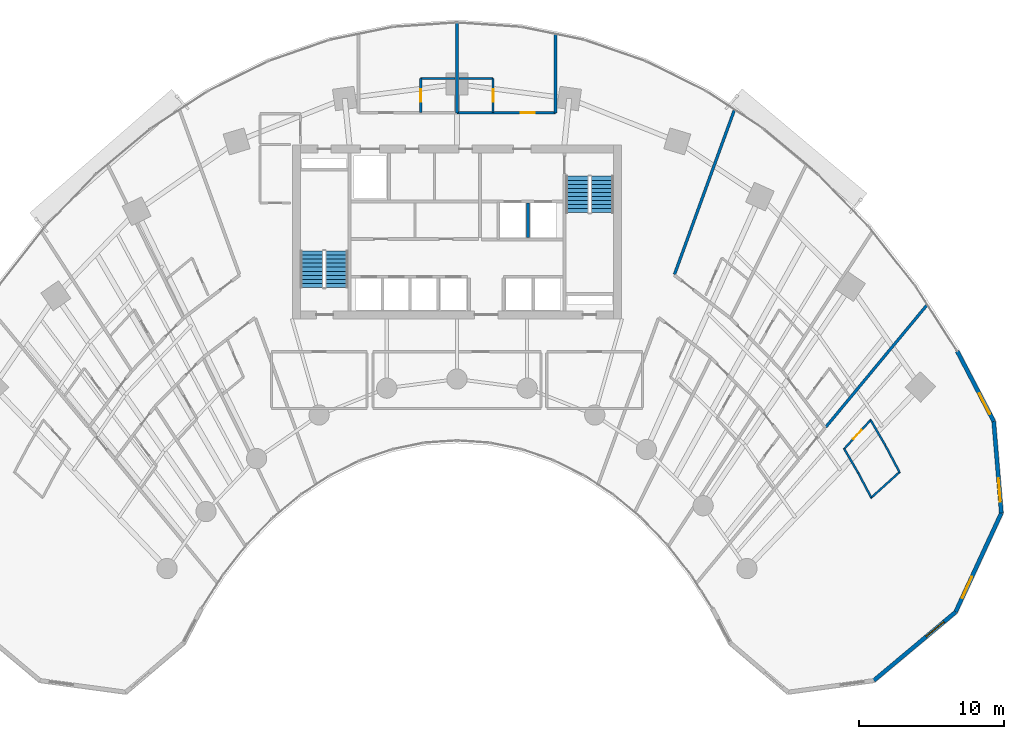
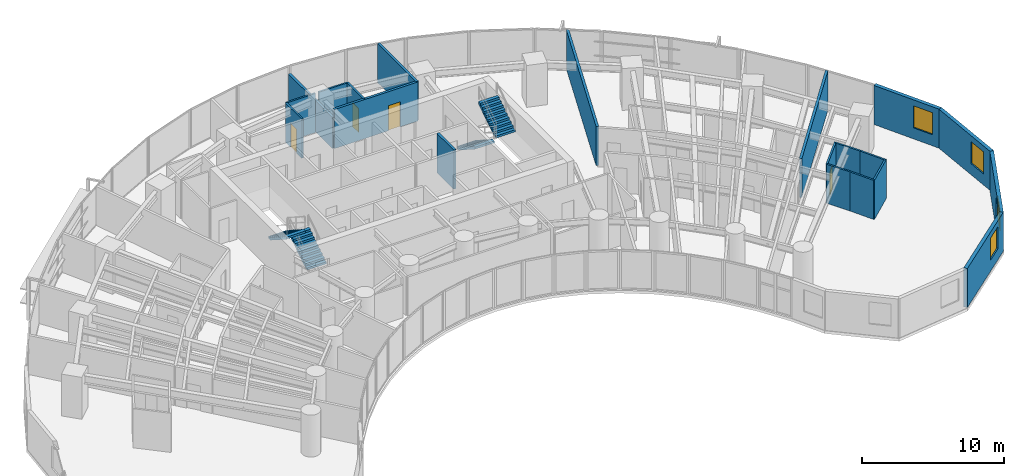
# One storey, part 15 of 18: 20 walls, 4 doors, 4 stair flights, 4 windows, 8 openings, 2 elements without a shape of their own.
"""IFC4 building model written with IfcOpenShell, lengths in metres."""

from ifc_helpers import new_model, si_unit, direction, frame, frame_2d, origin, place, context, subcontext, project, spatial, polyline, rectangle, outline, extrude, source, transform, mapped, material, layer, layer_set, type_object, type_shapes, element, fill, aggregate, save


model = new_model("IFC4")

# Units and contexts
model_context = context("Model", 3, precision=1e-05, world=origin(), true_north=direction((0.0, 1.0)))
body_context = subcontext(model_context, "Body", "Model", "MODEL_VIEW")
ifc_project = project(units=[si_unit("LENGTHUNIT", "METRE"), si_unit("AREAUNIT", "SQUARE_METRE"), si_unit("VOLUMEUNIT", "CUBIC_METRE"), si_unit("PLANEANGLEUNIT", "RADIAN"), si_unit("MASSUNIT", "GRAM", prefix="KILO")], contexts=[model_context])

# Site, building, storey
site_placement = place(None, origin())
site = spatial("IfcSite", under=ifc_project, at=site_placement, CompositionType="ELEMENT")
building_placement = place(site_placement, origin())
building = spatial("IfcBuilding", under=site, at=building_placement, Name="Breltana Convention Tower", CompositionType="ELEMENT")
storey_placement = place(building_placement, frame((0.0, 0.0, 42.60009765625)))
storey = spatial("IfcBuildingStorey", under=building, at=storey_placement, Name="L08", CompositionType="ELEMENT", Elevation=42.60009765625)

# Wall, opening, window
ifc_material_1 = material(Name="Limestone Buff Insulated Wall", Category="masonry")
ifc_layer_1 = layer(ifc_material_1, 0.280029296875, Name="Limestone Buff Insulated Wall")
ifc_layer_set_1 = layer_set([ifc_layer_1], Name="Limestone Buff Insulated Wall")
wall_type_1 = type_object("IfcWallType", Name="WL-EXT-NOSE-280", PredefinedType="SOLIDWALL", material=ifc_layer_set_1)
shared_shape_1 = source(origin(), body_context, "Body", "SweptSolid", [
    extrude(rectangle(XDim=6.3525390625, YDim=0.280029296875, at=frame_2d((3.17626953125, 0.0))), origin(), (0.0, 0.0, 1.0), 3.35986328125),
])
wall_1_placement = place(storey_placement, frame((85.052978515625, 53.1220703125, 0.0), z_axis=(0.0, 0.0, 1.0), x_axis=(0.083319001377, -0.996522926986, 0.0)))
wall_1 = element("IfcWall", 1, at=wall_1_placement, inside=storey, type_object=wall_type_1, Name="L08 curved limestone nose wall E1", PredefinedType="SOLIDWALL", context=body_context, shape_type="MappedRepresentation", body=[
    mapped(shared_shape_1, transform((0.0, 0.0, 0.0), scale=1.0)),
])
opening_1_placement = place(wall_1_placement, frame((3.96435546875, 0.0, 0.949951171875)))
opening_1 = element("IfcOpeningElement", 2, at=opening_1_placement, cuts=wall_1, Name="Opening W-04", PredefinedType="OPENING", context=body_context, shape_type="SweptSolid", body=[
    extrude(rectangle(XDim=1.60009765625, YDim=1.89990234375, at=frame_2d((0.800048828125, 0.949951171875))), frame((0.0, 0.14990234375, 0.0), z_axis=(0.0, -1.0, 0.0), x_axis=(1.0, 0.0, 0.0)), (0.0, 0.0, 1.0), 0.300048828125),
])
ifc_material_2 = material(Name="Glass Low-E Insulated Window", Category="glass")
window_type = type_object("IfcWindowType", Name="WN-NOSE-1600X1900", PartitioningType="SINGLE_PANEL", PredefinedType="WINDOW", material=ifc_material_2)
shared_shape_2 = source(origin(), body_context, "Body", "SweptSolid", [
    extrude(rectangle(XDim=1.60009765625, YDim=1.89990234375, at=frame_2d((0.800048828125, 0.949951171875))), frame((0.0, 0.030029296875, 0.0), z_axis=(0.0, -1.0, 0.0), x_axis=(1.0, 0.0, 0.0)), (0.0, 0.0, 1.0), 0.06005859375),
])
type_shapes(window_type, [shared_shape_2])
window_1_placement = place(opening_1_placement, origin())
window_1 = element("IfcWindow", 3, at=window_1_placement, inside=storey, type_object=window_type, Name="L08 nose window E1", OverallHeight=1.89990234375, OverallWidth=1.60009765625, PartitioningType="SINGLE_PANEL", PredefinedType="WINDOW", context=body_context, shape_type="MappedRepresentation", body=[
    mapped(shared_shape_2, transform((0.0, 0.0, 0.0), scale=1.0)),
])
fill(opening_1, window_1)

shared_shape_3 = source(origin(), body_context, "Body", "SweptSolid", [
    extrude(rectangle(XDim=7.536376953125, YDim=0.280029296875, at=frame_2d((3.76806640625, 0.0))), origin(), (0.0, 0.0, 1.0), 3.35986328125),
])
wall_2_placement = place(storey_placement, frame((85.582275390625, 46.79150390625, 0.0), z_axis=(0.0, 0.0, 1.0), x_axis=(-0.41964973873, -0.907686122393, 0.0)))
wall_2 = element("IfcWall", 4, at=wall_2_placement, inside=storey, type_object=wall_type_1, Name="L08 curved limestone nose wall E2", PredefinedType="SOLIDWALL", context=body_context, shape_type="MappedRepresentation", body=[
    mapped(shared_shape_3, transform((0.0, 0.0, 0.0), scale=1.0)),
])
opening_2_placement = place(wall_2_placement, frame((4.852294921875, 0.0, 0.949951171875)))
opening_2 = element("IfcOpeningElement", 5, at=opening_2_placement, cuts=wall_2, Name="Opening W-04", PredefinedType="OPENING", context=body_context, shape_type="SweptSolid", body=[
    extrude(rectangle(XDim=1.60009765625, YDim=1.89990234375, at=frame_2d((0.800048828125, 0.949951171875))), frame((0.0, 0.14990234375, 0.0), z_axis=(0.0, -1.0, 0.0), x_axis=(1.0, 0.0, 0.0)), (0.0, 0.0, 1.0), 0.300048828125),
])
window_2_placement = place(opening_2_placement, origin())
window_2 = element("IfcWindow", 6, at=window_2_placement, inside=storey, type_object=window_type, Name="L08 nose window E2", OverallHeight=1.89990234375, OverallWidth=1.60009765625, PartitioningType="SINGLE_PANEL", PredefinedType="WINDOW", context=body_context, shape_type="MappedRepresentation", body=[
    mapped(shared_shape_2, transform((0.0, 0.0, 0.0), scale=1.0)),
])
fill(opening_2, window_2)

shared_shape_4 = source(origin(), body_context, "Body", "SweptSolid", [
    extrude(rectangle(XDim=7.35888671875, YDim=0.280029296875, at=frame_2d((3.679443359375, 0.0))), origin(), (0.0, 0.0, 1.0), 3.35986328125),
])
wall_3_placement = place(storey_placement, frame((82.419677734375, 39.950927734375, 0.0), z_axis=(0.0, 0.0, 1.0), x_axis=(-0.766737165543, -0.641961150675, 0.0)))
wall_3 = element("IfcWall", 7, at=wall_3_placement, inside=storey, type_object=wall_type_1, Name="L08 curved limestone nose wall E3", PredefinedType="SOLIDWALL", context=body_context, shape_type="MappedRepresentation", body=[
    mapped(shared_shape_4, transform((0.0, 0.0, 0.0), scale=1.0)),
])
opening_3_placement = place(wall_3_placement, frame((1.039794921875, 0.0, 0.949951171875)))
opening_3 = element("IfcOpeningElement", 8, at=opening_3_placement, cuts=wall_3, Name="Opening W-04", PredefinedType="OPENING", context=body_context, shape_type="SweptSolid", body=[
    extrude(rectangle(XDim=1.60009765625, YDim=1.89990234375, at=frame_2d((0.800048828125, 0.949951171875))), frame((0.0, 0.14990234375, 0.0), z_axis=(0.0, -1.0, 0.0), x_axis=(1.0, 0.0, 0.0)), (0.0, 0.0, 1.0), 0.300048828125),
])
window_3_placement = place(opening_3_placement, origin())
window_3 = element("IfcWindow", 9, at=window_3_placement, inside=storey, type_object=window_type, Name="L08 nose window E3", OverallHeight=1.89990234375, OverallWidth=1.60009765625, PartitioningType="SINGLE_PANEL", PredefinedType="WINDOW", context=body_context, shape_type="MappedRepresentation", body=[
    mapped(shared_shape_2, transform((0.0, 0.0, 0.0), scale=1.0)),
])
fill(opening_3, window_3)

shared_shape_5 = source(origin(), body_context, "Body", "SweptSolid", [
    extrude(rectangle(XDim=5.45947265625, YDim=0.280029296875, at=frame_2d((2.729736328125, 0.0))), origin(), (0.0, 0.0, 1.0), 3.35986328125),
])
wall_4_placement = place(storey_placement, frame((82.531982421875, 57.964599609375, 0.0), z_axis=(0.0, 0.0, 1.0), x_axis=(0.461768054321, -0.887000712518, 0.0)))
wall_4 = element("IfcWall", 10, at=wall_4_placement, inside=storey, type_object=wall_type_1, Name="L08 curved limestone nose wall E7", PredefinedType="SOLIDWALL", context=body_context, shape_type="MappedRepresentation", body=[
    mapped(shared_shape_5, transform((0.0, 0.0, 0.0), scale=1.0)),
])
opening_4_placement = place(wall_4_placement, frame((3.294677734375, 0.0, 0.949951171875)))
opening_4 = element("IfcOpeningElement", 11, at=opening_4_placement, cuts=wall_4, Name="Opening W-04", PredefinedType="OPENING", context=body_context, shape_type="SweptSolid", body=[
    extrude(rectangle(XDim=1.60009765625, YDim=1.89990234375, at=frame_2d((0.800048828125, 0.949951171875))), frame((0.0, 0.14990234375, 0.0), z_axis=(0.0, -1.0, 0.0), x_axis=(1.0, 0.0, 0.0)), (0.0, 0.0, 1.0), 0.300048828125),
])
window_4_placement = place(opening_4_placement, origin())
window_4 = element("IfcWindow", 12, at=window_4_placement, inside=storey, type_object=window_type, Name="L08 nose window E7", OverallHeight=1.89990234375, OverallWidth=1.60009765625, PartitioningType="SINGLE_PANEL", PredefinedType="WINDOW", context=body_context, shape_type="MappedRepresentation", body=[
    mapped(shared_shape_2, transform((0.0, 0.0, 0.0), scale=1.0)),
])
fill(opening_4, window_4)

# Wall
ifc_material_3 = material(Name="Autoclaved Aerated Concrete Block", Category="concrete")
ifc_layer_2 = layer(ifc_material_3, 0.199951171875, Name="Autoclaved Aerated Concrete Block")
ifc_layer_set_2 = layer_set([ifc_layer_2], Name="Autoclaved Aerated Concrete Block")
wall_type_2 = type_object("IfcWallType", Name="WL-SHAFT-200", PredefinedType="SOLIDWALL", material=ifc_layer_set_2)
shared_shape_6 = source(origin(), body_context, "Body", "SweptSolid", [
    extrude(rectangle(XDim=2.39990234375, YDim=0.199951171875, at=frame_2d((1.199951171875, 0.0))), origin(), (0.0, 0.0, 1.0), 3.35986328125),
])
wall_5_placement = place(storey_placement, frame((52.89990234375, 65.800048828125, 0.0), z_axis=(0.0, 0.0, 1.0), x_axis=(0.0, 1.0, 0.0)))
element("IfcWall", 13, at=wall_5_placement, inside=storey, type_object=wall_type_2, Name="L08 interior partition W-L08-FL-DIV", PredefinedType="SOLIDWALL", context=body_context, shape_type="MappedRepresentation", body=[
    mapped(shared_shape_6, transform((0.0, 0.0, 0.0), scale=1.0)),
])

# Wall, opening, door
ifc_material_4 = material(Name="Gypsum Acoustic Hotel Wall")
ifc_layer_3 = layer(ifc_material_4, 0.195068359375, Name="Gypsum Acoustic Hotel Wall")
ifc_layer_set_3 = layer_set([ifc_layer_3], Name="Gypsum Acoustic Hotel Wall")
wall_type_3 = type_object("IfcWallType", Name="WL-HOTEL-200", PredefinedType="PARTITIONING", material=ifc_layer_set_3)
shared_shape_7 = source(origin(), body_context, "Body", "SweptSolid", [
    extrude(rectangle(XDim=6.800048828125, YDim=0.195068359375, at=frame_2d((3.39990234375, 0.0))), origin(), (0.0, 0.0, 1.0), 3.35986328125),
])
wall_6_placement = place(storey_placement, frame((48.0, 74.419921875, 0.0), z_axis=(0.0, 0.0, 1.0), x_axis=(1.0, 0.0, 0.0)))
wall_6 = element("IfcWall", 14, at=wall_6_placement, inside=storey, type_object=wall_type_3, Name="L08 interior partition W-L08-GRN2-S", PredefinedType="PARTITIONING", context=body_context, shape_type="MappedRepresentation", body=[
    mapped(shared_shape_7, transform((0.0, 0.0, 0.0), scale=1.0)),
])
opening_5_placement = place(wall_6_placement, frame((4.4208984375, 0.0, 0.0)))
opening_5 = element("IfcOpeningElement", 15, at=opening_5_placement, cuts=wall_6, Name="Opening D-14", PredefinedType="OPENING", context=body_context, shape_type="SweptSolid", body=[
    extrude(rectangle(XDim=0.949951171875, YDim=2.14990234375, at=frame_2d((0.47509765625, 1.074951171875))), frame((0.0, 0.107421875, 0.0), z_axis=(0.0, -1.0, 0.0), x_axis=(1.0, 0.0, 0.0)), (0.0, 0.0, 1.0), 0.215087890625),
])
ifc_material_5 = material(Name="Timber Solid-Core Fire Door", Category="wood")
door_type_1 = type_object("IfcDoorType", Name="DR-FD60-950", OperationType="NOTDEFINED", PredefinedType="DOOR", material=ifc_material_5)
shared_shape_8 = source(origin(), body_context, "Body", "SweptSolid", [
    extrude(rectangle(XDim=0.949951171875, YDim=2.14990234375, at=frame_2d((0.47509765625, 1.074951171875))), frame((0.0, 0.02490234375, 0.0), z_axis=(0.0, -1.0, 0.0), x_axis=(1.0, 0.0, 0.0)), (0.0, 0.0, 1.0), 0.050048828125),
])
type_shapes(door_type_1, [shared_shape_8])
door_1_placement = place(opening_5_placement, origin())
door_1 = element("IfcDoor", 16, at=door_1_placement, inside=storey, type_object=door_type_1, Name="L08 interior door D-L08-GRN2", OperationType="SINGLE_SWING_LEFT", OverallHeight=2.14990234375, OverallWidth=0.949951171875, PredefinedType="DOOR", context=body_context, shape_type="MappedRepresentation", body=[
    mapped(shared_shape_8, transform((0.0, 0.0, 0.0), scale=1.0)),
])
fill(opening_5, door_1)

# Walls
shared_shape_9 = source(origin(), body_context, "Body", "SweptSolid", [
    extrude(rectangle(XDim=6.215576171875, YDim=0.195068359375, at=frame_2d((3.10791015625, 0.0))), origin(), (0.0, 0.0, 1.0), 2.643798828125),
])
wall_7_placement = place(storey_placement, frame((48.0, 74.419921875, 0.0), z_axis=(0.0, 0.0, 1.0), x_axis=(0.0, 1.0, 0.0)))
element("IfcWall", 17, at=wall_7_placement, inside=storey, type_object=wall_type_3, Name="L08 interior partition W-L08-GRN-MID", PredefinedType="PARTITIONING", context=body_context, shape_type="MappedRepresentation", body=[
    mapped(shared_shape_9, transform((0.0, 0.0, 0.0), scale=1.0)),
])
shared_shape_10 = source(origin(), body_context, "Body", "SweptSolid", [
    extrude(rectangle(XDim=5.42626953125, YDim=0.195068359375, at=frame_2d((2.713134765625, 0.0))), origin(), (0.0, 0.0, 1.0), 3.35986328125),
])
wall_8_placement = place(storey_placement, frame((54.800048828125, 74.419921875, 0.0), z_axis=(0.0, 0.0, 1.0), x_axis=(0.0, 1.0, 0.0)))
element("IfcWall", 18, at=wall_8_placement, inside=storey, type_object=wall_type_3, Name="L08 interior partition W-L08-GRN2-SD", PredefinedType="PARTITIONING", context=body_context, shape_type="MappedRepresentation", body=[
    mapped(shared_shape_10, transform((0.0, 0.0, 0.0), scale=1.0)),
])
ifc_material_6 = material(Name="Moisture-Resistant En-Suite Partition")
ifc_layer_4 = layer(ifc_material_6, 0.139892578125, Name="Moisture-Resistant En-Suite Partition")
ifc_layer_set_4 = layer_set([ifc_layer_4], Name="Moisture-Resistant En-Suite Partition")
wall_type_4 = type_object("IfcWallType", Name="WL-WET-150", PredefinedType="PARTITIONING", material=ifc_layer_set_4)
shared_shape_11 = source(origin(), body_context, "Body", "SweptSolid", [
    extrude(rectangle(XDim=2.35009765625, YDim=0.139892578125, at=frame_2d((1.175048828125, 0.0))), origin(), (0.0, 0.0, 1.0), 3.35986328125),
])
for number, where, z_axis, x_axis, name in (
    (19, (45.5, 76.780029296875, 0.0), (0.0, 0.0, 1.0), (1.0, 0.0, 0.0), "L08 interior partition W-L08-ENSN1-N"),
    (20, (48.14990234375, 76.780029296875, 0.0), (0.0, 0.0, 1.0), (1.0, 0.0, 0.0), "L08 interior partition W-L08-ENSN2-N"),
):
    element("IfcWall", number, at=place(storey_placement, frame(where, z_axis=z_axis, x_axis=x_axis)), inside=storey, type_object=wall_type_4, Name=name, PredefinedType="PARTITIONING", context=body_context, shape_type="MappedRepresentation", body=[
        mapped(shared_shape_11, transform((0.0, 0.0, 0.0), scale=1.0)),
    ])

# Wall, opening, door
shared_shape_12 = source(origin(), body_context, "Body", "SweptSolid", [
    extrude(rectangle(XDim=2.330078125, YDim=0.139892578125, at=frame_2d((1.1650390625, 0.0))), origin(), (0.0, 0.0, 1.0), 3.35986328125),
])
wall_9_placement = place(storey_placement, frame((45.5, 74.449951171875, 0.0), z_axis=(0.0, 0.0, 1.0), x_axis=(0.0, 1.0, 0.0)))
wall_9 = element("IfcWall", 21, at=wall_9_placement, inside=storey, type_object=wall_type_4, Name="L08 interior partition W-L08-ENSN1-SD", PredefinedType="PARTITIONING", context=body_context, shape_type="MappedRepresentation", body=[
    mapped(shared_shape_12, transform((0.0, 0.0, 0.0), scale=1.0)),
])
opening_6_placement = place(wall_9_placement, frame((0.739990234375, 0.0, 0.0)))
opening_6 = element("IfcOpeningElement", 22, at=opening_6_placement, cuts=wall_9, Name="Opening D-21", PredefinedType="OPENING", context=body_context, shape_type="SweptSolid", body=[
    extrude(rectangle(XDim=0.85009765625, YDim=2.050048828125, at=frame_2d((0.425048828125, 1.02490234375))), frame((0.0, 0.080078125, 0.0), z_axis=(0.0, -1.0, 0.0), x_axis=(1.0, 0.0, 0.0)), (0.0, 0.0, 1.0), 0.159912109375),
])
ifc_material_7 = material(Name="Timber Moisture-Resistant En-Suite Door", Category="wood")
door_type_2 = type_object("IfcDoorType", Name="DR-WET-850", OperationType="NOTDEFINED", PredefinedType="DOOR", material=ifc_material_7)
shared_shape_13 = source(origin(), body_context, "Body", "SweptSolid", [
    extrude(rectangle(XDim=0.85009765625, YDim=2.050048828125, at=frame_2d((0.425048828125, 1.02490234375))), frame((0.0, 0.02490234375, 0.0), z_axis=(0.0, -1.0, 0.0), x_axis=(1.0, 0.0, 0.0)), (0.0, 0.0, 1.0), 0.050048828125),
])
type_shapes(door_type_2, [shared_shape_13])
door_2_placement = place(opening_6_placement, origin())
door_2 = element("IfcDoor", 23, at=door_2_placement, inside=storey, type_object=door_type_2, Name="L08 interior door D-L08-ENSN1", OperationType="SINGLE_SWING_RIGHT", OverallHeight=2.050048828125, OverallWidth=0.85009765625, PredefinedType="DOOR", context=body_context, shape_type="MappedRepresentation", body=[
    mapped(shared_shape_13, transform((0.0, 0.0, 0.0), scale=1.0)),
])
fill(opening_6, door_2)

wall_10_placement = place(storey_placement, frame((50.5, 74.449951171875, 0.0), z_axis=(0.0, 0.0, 1.0), x_axis=(0.0, 1.0, 0.0)))
wall_10 = element("IfcWall", 24, at=wall_10_placement, inside=storey, type_object=wall_type_4, Name="L08 interior partition W-L08-ENSN2-SD", PredefinedType="PARTITIONING", context=body_context, shape_type="MappedRepresentation", body=[
    mapped(shared_shape_12, transform((0.0, 0.0, 0.0), scale=1.0)),
])
opening_7_placement = place(wall_10_placement, frame((0.739990234375, 0.0, 0.0)))
opening_7 = element("IfcOpeningElement", 25, at=opening_7_placement, cuts=wall_10, Name="Opening D-21", PredefinedType="OPENING", context=body_context, shape_type="SweptSolid", body=[
    extrude(rectangle(XDim=0.85009765625, YDim=2.050048828125, at=frame_2d((0.425048828125, 1.02490234375))), frame((0.0, 0.080078125, 0.0), z_axis=(0.0, -1.0, 0.0), x_axis=(1.0, 0.0, 0.0)), (0.0, 0.0, 1.0), 0.159912109375),
])
door_3_placement = place(opening_7_placement, origin())
door_3 = element("IfcDoor", 26, at=door_3_placement, inside=storey, type_object=door_type_2, Name="L08 interior door D-L08-ENSN2", OperationType="SINGLE_SWING_RIGHT", OverallHeight=2.050048828125, OverallWidth=0.85009765625, PredefinedType="DOOR", context=body_context, shape_type="MappedRepresentation", body=[
    mapped(shared_shape_13, transform((0.0, 0.0, 0.0), scale=1.0)),
])
fill(opening_7, door_3)

# Walls
shared_shape_14 = source(origin(), body_context, "Body", "SweptSolid", [
    extrude(rectangle(XDim=10.974609375, YDim=0.195068359375, at=frame_2d((5.4873046875, 0.0))), origin(), (0.0, 0.0, 1.0), 3.35986328125),
])
wall_11_placement = place(storey_placement, frame((73.460205078125, 52.71875, 0.0), z_axis=(0.0, 0.0, 1.0), x_axis=(0.638125265812, 0.769932558821, 0.0)))
element("IfcWall", 27, at=wall_11_placement, inside=storey, type_object=wall_type_3, Name="L08 interior partition W-L08-HK11-RB", PredefinedType="PARTITIONING", context=body_context, shape_type="MappedRepresentation", body=[
    mapped(shared_shape_14, transform((0.0, 0.0, 0.0), scale=1.0)),
])
shared_shape_15 = source(origin(), body_context, "Body", "SweptSolid", [
    extrude(rectangle(XDim=12.088134765625, YDim=0.195068359375, at=frame_2d((6.0439453125, 0.0))), origin(), (0.0, 0.0, 1.0), 3.35986328125),
])
wall_12_placement = place(storey_placement, frame((63.0185546875, 63.26220703125, 0.0), z_axis=(0.0, 0.0, 1.0), x_axis=(0.34203007529, 0.939689005787, 0.0)))
element("IfcWall", 28, at=wall_12_placement, inside=storey, type_object=wall_type_3, Name="L08 interior partition W-L08-HK07-RA", PredefinedType="PARTITIONING", context=body_context, shape_type="MappedRepresentation", body=[
    mapped(shared_shape_15, transform((0.0, 0.0, 0.0), scale=1.0)),
])

# Wall, opening, door
shared_shape_16 = source(origin(), body_context, "Body", "SweptSolid", [
    extrude(rectangle(XDim=2.812255859375, YDim=0.139892578125, at=frame_2d((1.40625, 0.0))), origin(), (0.0, 0.0, 1.0), 3.35986328125),
])
wall_13_placement = place(storey_placement, frame((74.69677734375, 51.176513671875, 0.0), z_axis=(0.0, 0.0, 1.0), x_axis=(0.675119025852, 0.737708818527, 0.0)))
wall_13 = element("IfcWall", 29, at=wall_13_placement, inside=storey, type_object=wall_type_4, Name="L08 interior partition W-L08-CSENS-E-W", PredefinedType="PARTITIONING", context=body_context, shape_type="MappedRepresentation", body=[
    mapped(shared_shape_16, transform((0.0, 0.0, 0.0), scale=1.0)),
])
opening_8_placement = place(wall_13_placement, frame((0.981201171875, 0.0, 0.0)))
opening_8 = element("IfcOpeningElement", 30, at=opening_8_placement, cuts=wall_13, Name="Opening D-21", PredefinedType="OPENING", context=body_context, shape_type="SweptSolid", body=[
    extrude(rectangle(XDim=0.85009765625, YDim=2.050048828125, at=frame_2d((0.425048828125, 1.02490234375))), frame((0.0, 0.080078125, 0.0), z_axis=(0.0, -1.0, 0.0), x_axis=(1.0, 0.0, 0.0)), (0.0, 0.0, 1.0), 0.159912109375),
])
door_4_placement = place(opening_8_placement, origin())
door_4 = element("IfcDoor", 31, at=door_4_placement, inside=storey, type_object=door_type_2, Name="L08 interior door D-L08-CSENS-E", OperationType="SINGLE_SWING_RIGHT", OverallHeight=2.050048828125, OverallWidth=0.85009765625, PredefinedType="DOOR", context=body_context, shape_type="MappedRepresentation", body=[
    mapped(shared_shape_13, transform((0.0, 0.0, 0.0), scale=1.0)),
])
fill(opening_8, door_4)

# Walls
shared_shape_17 = source(origin(), body_context, "Body", "SweptSolid", [
    extrude(rectangle(XDim=2.738037109375, YDim=0.139892578125, at=frame_2d((1.369140625, 0.0))), origin(), (0.0, 0.0, 1.0), 3.35986328125),
])
wall_14_placement = place(storey_placement, frame((76.560302734375, 47.81396484375, 0.0), z_axis=(0.0, 0.0, 1.0), x_axis=(0.741873676582, 0.670539669218, 0.0)))
element("IfcWall", 32, at=wall_14_placement, inside=storey, type_object=wall_type_4, Name="L08 interior partition W-L08-CSENS-E-F", PredefinedType="PARTITIONING", context=body_context, shape_type="MappedRepresentation", body=[
    mapped(shared_shape_17, transform((0.0, 0.0, 0.0), scale=1.0)),
])
shared_shape_18 = source(origin(), body_context, "Body", "SweptSolid", [
    extrude(rectangle(XDim=1.936279296875, YDim=0.139892578125, at=frame_2d((0.96826171875, 0.0))), origin(), (0.0, 0.0, 1.0), 3.35986328125),
])
wall_15_placement = place(storey_placement, frame((75.697265625, 49.5634765625, 0.0), z_axis=(0.0, 0.0, 1.0), x_axis=(0.467174971862, -0.884164886017, 0.0)))
element("IfcWall", 33, at=wall_15_placement, inside=storey, type_object=wall_type_4, Name="L08 interior partition W-L08-CSENS-E-B1B", PredefinedType="PARTITIONING", context=body_context, shape_type="MappedRepresentation", body=[
    mapped(shared_shape_18, transform((0.0, 0.0, 0.0), scale=1.0)),
])
shared_shape_19 = source(origin(), body_context, "Body", "SweptSolid", [
    extrude(rectangle(XDim=2.068115234375, YDim=0.139892578125, at=frame_2d((1.0341796875, 0.0))), origin(), (0.0, 0.0, 1.0), 3.35986328125),
])
wall_16_placement = place(storey_placement, frame((77.583740234375, 51.44091796875, 0.0), z_axis=(0.0, 0.0, 1.0), x_axis=(0.467215057643, -0.884143704333, 0.0)))
element("IfcWall", 34, at=wall_16_placement, inside=storey, type_object=wall_type_4, Name="L08 interior partition W-L08-CSENS-E-B2B", PredefinedType="PARTITIONING", context=body_context, shape_type="MappedRepresentation", body=[
    mapped(shared_shape_19, transform((0.0, 0.0, 0.0), scale=1.0)),
])
shared_shape_20 = source(origin(), body_context, "Body", "SweptSolid", [
    extrude(rectangle(XDim=1.914306640625, YDim=0.139892578125, at=frame_2d((0.95703125, 0.0))), origin(), (0.0, 0.0, 1.0), 3.35986328125),
])
wall_17_placement = place(storey_placement, frame((74.735595703125, 51.21875, 0.0), z_axis=(0.0, 0.0, 1.0), x_axis=(0.502347790612, -0.864665656347, 0.0)))
element("IfcWall", 35, at=wall_17_placement, inside=storey, type_object=wall_type_4, Name="L08 interior partition W-L08-CSENS-E-B1A", PredefinedType="PARTITIONING", context=body_context, shape_type="MappedRepresentation", body=[
    mapped(shared_shape_20, transform((0.0, 0.0, 0.0), scale=1.0)),
])
shared_shape_21 = source(origin(), body_context, "Body", "SweptSolid", [
    extrude(rectangle(XDim=2.044677734375, YDim=0.139892578125, at=frame_2d((1.0224609375, 0.0))), origin(), (0.0, 0.0, 1.0), 3.35986328125),
])
wall_18_placement = place(storey_placement, frame((76.556640625, 53.208984375, 0.0), z_axis=(0.0, 0.0, 1.0), x_axis=(0.5023112139, -0.864686905411, 0.0)))
element("IfcWall", 36, at=wall_18_placement, inside=storey, type_object=wall_type_4, Name="L08 interior partition W-L08-CSENS-E-B2A", PredefinedType="PARTITIONING", context=body_context, shape_type="MappedRepresentation", body=[
    mapped(shared_shape_21, transform((0.0, 0.0, 0.0), scale=1.0)),
])

# Stair, stair flights
ifc_material_8 = material(Name="Concrete C40/50", Category="concrete")
stair_type = type_object("IfcStairType", Name="ST-DOG-1560-R180", PredefinedType="HALF_TURN_STAIR", material=ifc_material_8)
stair_1_placement = place(storey_placement, origin())
stair_1 = element("IfcStair", 37, at=stair_1_placement, inside=storey, type_object=stair_type, Name="L08 Protected Core Exit Stair ST-1", PredefinedType="HALF_TURN_STAIR")
stair_flight_type = type_object("IfcStairFlightType", Name="STF-DOG-1560-N10-R180", PredefinedType="STRAIGHT", material=ifc_material_8)
stair_flight_1_placement = place(storey_placement, frame((39.68994140625, 62.360107421875, 0.0), z_axis=(0.0, 0.0, 1.0), x_axis=(0.0, 1.0, 0.0)))
stair_flight_1 = element("IfcStairFlight", 38, at=stair_flight_1_placement, type_object=stair_flight_type, Name="ST-1 flight 1", NumberOfRisers=10, NumberOfTreads=9, PredefinedType="STRAIGHT", RiserHeight=0.18, TreadLength=0.28, context=body_context, shape_type="SweptSolid", body=[
    extrude(outline(polyline([(0.0, 0.0), (0.0, 0.179931640625), (0.280029296875, 0.179931640625), (0.280029296875, 0.360107421875), (0.56005859375, 0.360107421875), (0.56005859375, 0.5400390625), (0.840087890625, 0.5400390625), (0.840087890625, 0.719970703125), (1.1201171875, 0.719970703125), (1.1201171875, 0.89990234375), (1.39990234375, 0.89990234375), (1.39990234375, 1.080078125), (1.679931640625, 1.080078125), (1.679931640625, 1.260009765625), (1.9599609375, 1.260009765625), (1.9599609375, 1.43994140625), (2.239990234375, 1.43994140625), (2.239990234375, 1.6201171875), (2.52001953125, 1.6201171875), (2.52001953125, 1.800048828125), (2.52001953125, 1.44189453125), (0.277099609375, 0.0), (0.0, 0.0)])), frame((0.0, 0.780029296875, 0.0), z_axis=(0.0, -1.0, 0.0), x_axis=(1.0, 0.0, 0.0)), (0.0, 0.0, 1.0), 1.56005859375),
])
stair_flight_2_placement = place(storey_placement, frame((37.97998046875, 64.8798828125, 1.7998046875), z_axis=(0.0, 0.0, 1.0), x_axis=(0.0, -1.0, 0.0)))
stair_flight_2 = element("IfcStairFlight", 39, at=stair_flight_2_placement, type_object=stair_flight_type, Name="ST-1 flight 2", NumberOfRisers=10, NumberOfTreads=9, PredefinedType="STRAIGHT", RiserHeight=0.18, TreadLength=0.28, context=body_context, shape_type="SweptSolid", body=[
    extrude(outline(polyline([(0.0, 0.0), (0.0, 0.179931640625), (0.280029296875, 0.179931640625), (0.280029296875, 0.360107421875), (0.56005859375, 0.360107421875), (0.56005859375, 0.5400390625), (0.840087890625, 0.5400390625), (0.840087890625, 0.719970703125), (1.1201171875, 0.719970703125), (1.1201171875, 0.89990234375), (1.39990234375, 0.89990234375), (1.39990234375, 1.080078125), (1.679931640625, 1.080078125), (1.679931640625, 1.260009765625), (1.9599609375, 1.260009765625), (1.9599609375, 1.43994140625), (2.239990234375, 1.43994140625), (2.239990234375, 1.6201171875), (2.52001953125, 1.6201171875), (2.52001953125, 1.800048828125), (2.52001953125, 1.44189453125), (0.277099609375, 0.0), (0.0, 0.0)])), frame((0.0, 0.780029296875, 0.0), z_axis=(0.0, -1.0, 0.0), x_axis=(1.0, 0.0, 0.0)), (0.0, 0.0, 1.0), 1.56005859375),
])
aggregate(stair_1, [stair_flight_1, stair_flight_2])

stair_2_placement = place(storey_placement, origin())
stair_2 = element("IfcStair", 40, at=stair_2_placement, inside=storey, type_object=stair_type, Name="L08 Protected Core Exit Stair ST-2", PredefinedType="HALF_TURN_STAIR")
stair_flight_3_placement = place(storey_placement, frame((56.31005859375, 70.0400390625, 0.0), z_axis=(0.0, 0.0, 1.0), x_axis=(0.0, -1.0, 0.0)))
stair_flight_3 = element("IfcStairFlight", 41, at=stair_flight_3_placement, type_object=stair_flight_type, Name="ST-2 flight 1", NumberOfRisers=10, NumberOfTreads=9, PredefinedType="STRAIGHT", RiserHeight=0.18, TreadLength=0.28, context=body_context, shape_type="SweptSolid", body=[
    extrude(outline(polyline([(0.0, 0.0), (0.0, 0.179931640625), (0.280029296875, 0.179931640625), (0.280029296875, 0.360107421875), (0.56005859375, 0.360107421875), (0.56005859375, 0.5400390625), (0.840087890625, 0.5400390625), (0.840087890625, 0.719970703125), (1.1201171875, 0.719970703125), (1.1201171875, 0.89990234375), (1.39990234375, 0.89990234375), (1.39990234375, 1.080078125), (1.679931640625, 1.080078125), (1.679931640625, 1.260009765625), (1.9599609375, 1.260009765625), (1.9599609375, 1.43994140625), (2.239990234375, 1.43994140625), (2.239990234375, 1.6201171875), (2.52001953125, 1.6201171875), (2.52001953125, 1.800048828125), (2.52001953125, 1.44189453125), (0.277099609375, 0.0), (0.0, 0.0)])), frame((0.0, 0.780029296875, 0.0), z_axis=(0.0, -1.0, 0.0), x_axis=(1.0, 0.0, 0.0)), (0.0, 0.0, 1.0), 1.56005859375),
])
stair_flight_4_placement = place(storey_placement, frame((58.02001953125, 67.52001953125, 1.7998046875), z_axis=(0.0, 0.0, 1.0), x_axis=(0.0, 1.0, 0.0)))
stair_flight_4 = element("IfcStairFlight", 42, at=stair_flight_4_placement, type_object=stair_flight_type, Name="ST-2 flight 2", NumberOfRisers=10, NumberOfTreads=9, PredefinedType="STRAIGHT", RiserHeight=0.18, TreadLength=0.28, context=body_context, shape_type="SweptSolid", body=[
    extrude(outline(polyline([(0.0, 0.0), (0.0, 0.179931640625), (0.280029296875, 0.179931640625), (0.280029296875, 0.360107421875), (0.56005859375, 0.360107421875), (0.56005859375, 0.5400390625), (0.840087890625, 0.5400390625), (0.840087890625, 0.719970703125), (1.1201171875, 0.719970703125), (1.1201171875, 0.89990234375), (1.39990234375, 0.89990234375), (1.39990234375, 1.080078125), (1.679931640625, 1.080078125), (1.679931640625, 1.260009765625), (1.9599609375, 1.260009765625), (1.9599609375, 1.43994140625), (2.239990234375, 1.43994140625), (2.239990234375, 1.6201171875), (2.52001953125, 1.6201171875), (2.52001953125, 1.800048828125), (2.52001953125, 1.44189453125), (0.277099609375, 0.0), (0.0, 0.0)])), frame((0.0, 0.780029296875, 0.0), z_axis=(0.0, -1.0, 0.0), x_axis=(1.0, 0.0, 0.0)), (0.0, 0.0, 1.0), 1.56005859375),
])
aggregate(stair_2, [stair_flight_3, stair_flight_4])

save(model, "model.ifc")
